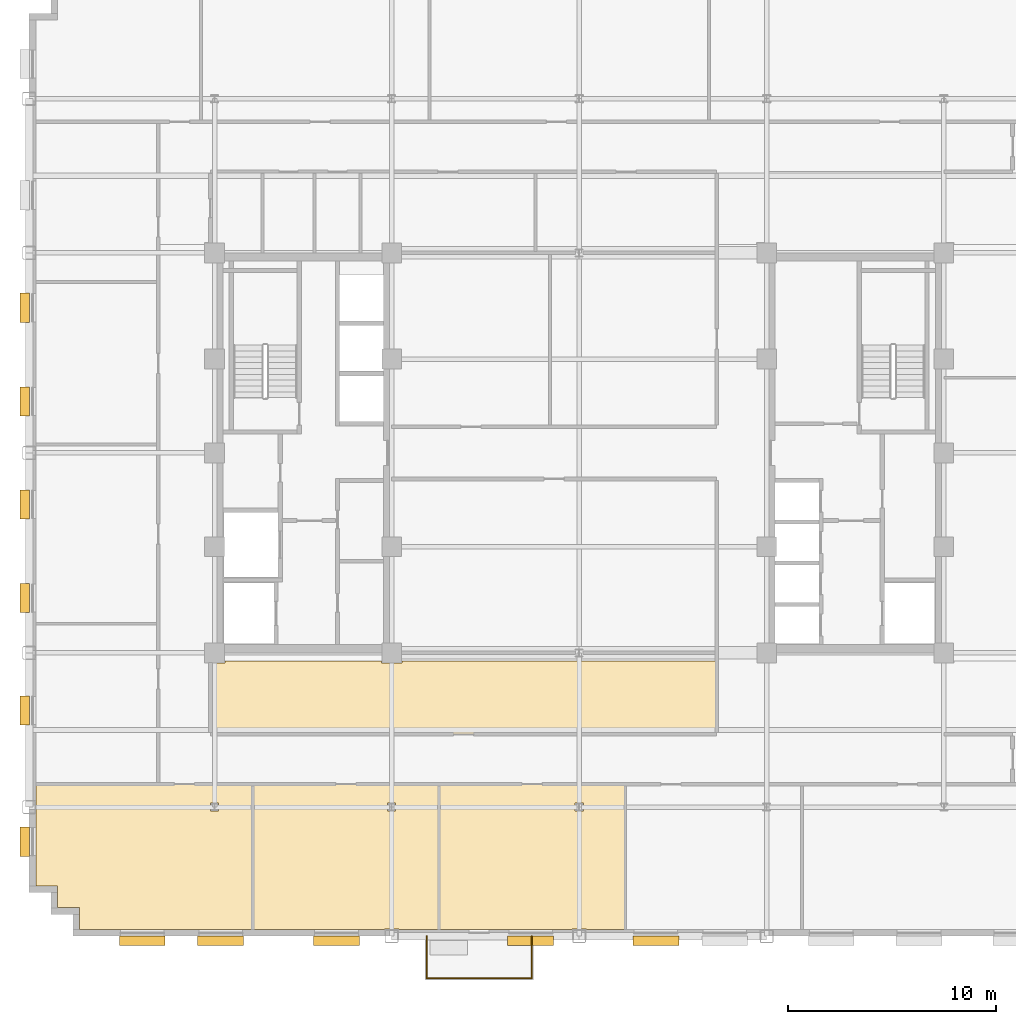
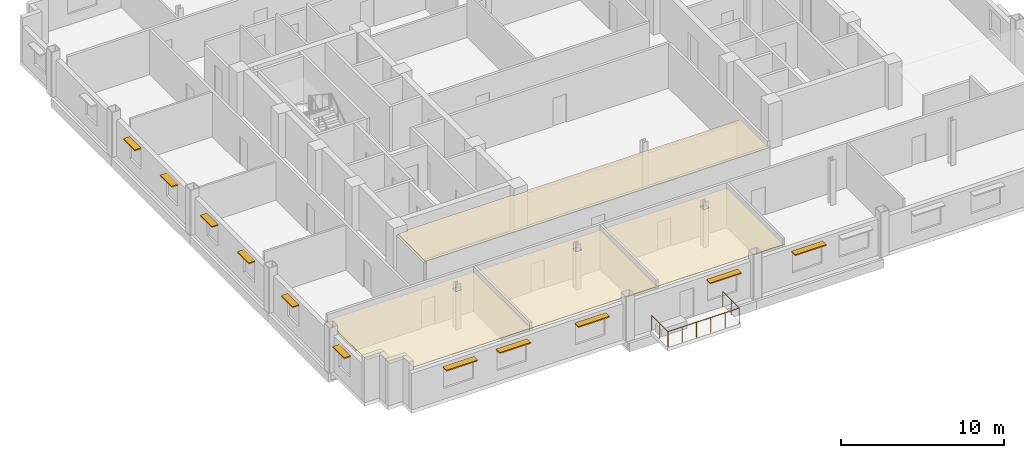
# One storey, part 11 of 14: 11 shading devices, 4 coverings, 1 railing.
"""IFC4 building model written with IfcOpenShell, lengths in metres."""

from ifc_helpers import new_model, si_unit, direction, frame, origin, origin_2d, place, context, subcontext, project, spatial, polyline, rectangle, circle, outline, extrude, source, transform, mapped, material, layer, layer_set, type_object, type_shapes, element, save


model = new_model("IFC4")

# Units and contexts
model_context = context("Model", 3, precision=1e-05, world=origin(), true_north=direction((0.0, 1.0)))
body_context = subcontext(model_context, "Body", "Model", "MODEL_VIEW")
ifc_project = project(units=[si_unit("LENGTHUNIT", "METRE"), si_unit("AREAUNIT", "SQUARE_METRE"), si_unit("VOLUMEUNIT", "CUBIC_METRE"), si_unit("PLANEANGLEUNIT", "RADIAN"), si_unit("MASSUNIT", "GRAM", prefix="KILO")], contexts=[model_context])

# Site, building, storey
site_placement = place(None, origin())
site = spatial("IfcSite", under=ifc_project, at=site_placement, CompositionType="ELEMENT")
building_placement = place(site_placement, origin())
building = spatial("IfcBuilding", under=site, at=building_placement, Name="Nuvemarco Arch Tower", CompositionType="ELEMENT")
storey_placement = place(building_placement, frame((0.0, 0.0, 160.35009765625)))
storey = spatial("IfcBuildingStorey", under=building, at=storey_placement, Name="L42", CompositionType="ELEMENT", Elevation=160.35009765625)

# Coverings
ifc_material_1 = material(Name="Mineral acoustic ceiling tile")
ifc_layer = layer(ifc_material_1, 0.0400390625, Name="COV-ACOUSTIC-CLG")
ifc_layer_set = layer_set([ifc_layer], Name="Mineral acoustic ceiling tile")
covering_type = type_object("IfcCoveringType", Name="COV-ACOUSTIC-CLG", PredefinedType="CEILING", material=ifc_layer_set)
covering_1_placement = place(storey_placement, frame((0.0, 0.0, 2.849853515625)))
element("IfcCovering", 1, at=covering_1_placement, inside=storey, type_object=covering_type, Name="L42 suspended acoustic ceiling 4", PredefinedType="CEILING", context=body_context, shape_type="SweptSolid", body=[
    extrude(outline(polyline([(-9.489990234375, -10.090087890625), (-8.510009765625, -10.090087890625), (-8.510009765625, -10.0), (6.60009765625, -10.0), (6.60009765625, -13.5), (-17.699951171875, -13.5), (-17.699951171875, -10.090087890625), (-17.010009765625, -10.090087890625), (-17.010009765625, -10.0), (-9.489990234375, -10.0), (-9.489990234375, -10.090087890625)])), origin(), (0.0, 0.0, 1.0), 0.0400390625),
])
covering_2_placement = place(storey_placement, frame((0.0, 0.0, 2.849853515625)))
element("IfcCovering", 2, at=covering_2_placement, inside=storey, type_object=covering_type, Name="L42 suspended acoustic ceiling 7", PredefinedType="CEILING", context=body_context, shape_type="SweptSolid", body=[
    extrude(outline(polyline([(-26.080078125, -20.780029296875), (-26.080078125, -17.340087890625), (-26.06005859375, -17.340087890625), (-26.06005859375, -16.659912109375), (-26.080078125, -16.659912109375), (-26.080078125, -15.89990234375), (-20.199951171875, -15.89990234375), (-17.699951171875, -15.89990234375), (-15.669921875, -15.89990234375), (-15.669921875, -22.8798828125), (-23.97998046875, -22.8798828125), (-23.97998046875, -21.830078125), (-25.030029296875, -21.830078125), (-25.030029296875, -20.780029296875), (-26.080078125, -20.780029296875)]), holes=[polyline([(-17.304931640625, -16.804931640625), (-17.695068359375, -16.804931640625), (-17.695068359375, -17.195068359375), (-17.304931640625, -17.195068359375), (-17.304931640625, -16.804931640625)])]), origin(), (0.0, 0.0, 1.0), 0.0400390625),
])
covering_3_placement = place(storey_placement, frame((0.0, 0.0, 2.849853515625)))
element("IfcCovering", 3, at=covering_3_placement, inside=storey, type_object=covering_type, Name="L42 suspended acoustic ceiling 8", PredefinedType="CEILING", context=body_context, shape_type="SweptSolid", body=[
    extrude(outline(polyline([(-8.659912109375, -22.8798828125), (-8.659912109375, -22.860107421875), (-9.340087890625, -22.860107421875), (-9.340087890625, -22.8798828125), (-15.669921875, -22.8798828125), (-15.669921875, -15.89990234375), (-6.72998046875, -15.89990234375), (-6.72998046875, -22.8798828125), (-8.659912109375, -22.8798828125)]), holes=[polyline([(-8.804931640625, -17.195068359375), (-8.804931640625, -16.804931640625), (-9.195068359375, -16.804931640625), (-9.195068359375, -17.195068359375), (-8.804931640625, -17.195068359375)])]), origin(), (0.0, 0.0, 1.0), 0.0400390625),
])
covering_4_placement = place(storey_placement, frame((0.0, 0.0, 2.849853515625)))
element("IfcCovering", 4, at=covering_4_placement, inside=storey, type_object=covering_type, Name="L42 suspended acoustic ceiling 9", PredefinedType="CEILING", context=body_context, shape_type="SweptSolid", body=[
    extrude(outline(polyline([(0.340087890625, -22.8798828125), (0.340087890625, -22.860107421875), (-0.340087890625, -22.860107421875), (-0.340087890625, -22.8798828125), (-6.72998046875, -22.8798828125), (-6.72998046875, -15.89990234375), (2.2099609375, -15.89990234375), (2.2099609375, -22.8798828125), (0.340087890625, -22.8798828125)]), holes=[polyline([(0.195068359375, -17.195068359375), (0.195068359375, -16.804931640625), (-0.195068359375, -16.804931640625), (-0.195068359375, -17.195068359375), (0.195068359375, -17.195068359375)])]), origin(), (0.0, 0.0, 1.0), 0.0400390625),
])

# Railing
ifc_material_2 = material(Name="Dark anodised balustrade steel S355", Category="steel")
railing_type = type_object("IfcRailingType", Name="RL-TERR-GUARD", PredefinedType="BALUSTRADE", material=ifc_material_2)
railing_placement = place(storey_placement, frame((-7.320068359375, -23.199951171875, 0.0)))
element("IfcRailing", 5, at=railing_placement, inside=storey, type_object=railing_type, Name="L42 tree balcony perimeter balustrade guard", PredefinedType="BALUSTRADE", context=body_context, shape_type="SweptSolid", body=[
    extrude(circle(Radius=0.02392578125, at=origin_2d()), frame((0.0, 0.0, 1.1259765625), z_axis=(0.0, -1.0, 0.0), x_axis=(1.0, 0.0, 0.0)), (0.0, 0.0, 1.0), 2.02001953125),
    extrude(circle(Radius=0.02392578125, at=origin_2d()), frame((0.0, -2.02001953125, 1.1259765625), z_axis=(1.0, 0.0, 0.0), x_axis=(0.0, 1.0, 0.0)), (0.0, 0.0, 1.0), 5.0400390625),
    extrude(circle(Radius=0.02392578125, at=origin_2d()), frame((5.0400390625, -2.02001953125, 1.1259765625), z_axis=(0.0, 1.0, 0.0), x_axis=(-1.0, 0.0, 0.0)), (0.0, 0.0, 1.0), 2.02001953125),
    extrude(circle(Radius=0.02099609375, at=origin_2d()), origin(), (0.0, 0.0, 1.0), 1.101806640625),
    extrude(circle(Radius=0.02099609375, at=origin_2d()), frame((0.0, -1.010009765625, 0.0)), (0.0, 0.0, 1.0), 1.101806640625),
    extrude(circle(Radius=0.02099609375, at=origin_2d()), frame((0.0, -2.02001953125, 0.0)), (0.0, 0.0, 1.0), 1.101806640625),
    extrude(circle(Radius=0.02099609375, at=origin_2d()), frame((1.008056640625, -2.02001953125, 0.0)), (0.0, 0.0, 1.0), 1.101806640625),
    extrude(circle(Radius=0.02099609375, at=origin_2d()), frame((2.01611328125, -2.02001953125, 0.0)), (0.0, 0.0, 1.0), 1.101806640625),
    extrude(circle(Radius=0.02099609375, at=origin_2d()), frame((3.02392578125, -2.02001953125, 0.0)), (0.0, 0.0, 1.0), 1.101806640625),
    extrude(circle(Radius=0.02099609375, at=origin_2d()), frame((4.031982421875, -2.02001953125, 0.0)), (0.0, 0.0, 1.0), 1.101806640625),
    extrude(circle(Radius=0.02099609375, at=origin_2d()), frame((5.0400390625, -2.02001953125, 0.0)), (0.0, 0.0, 1.0), 1.101806640625),
    extrude(circle(Radius=0.02099609375, at=origin_2d()), frame((5.0400390625, -1.010009765625, 0.0)), (0.0, 0.0, 1.0), 1.101806640625),
    extrude(circle(Radius=0.02099609375, at=origin_2d()), frame((5.0400390625, 0.0, 0.0)), (0.0, 0.0, 1.0), 1.101806640625),
])

# Shading devices
ifc_material_3 = material(Name="Anodised aluminium 6063-T6", Category="aluminium")
shading_device_type_1 = type_object("IfcShadingDeviceType", Name="SHD-BRISE-SOLEIL", PredefinedType="USERDEFINED", material=ifc_material_3)
shared_shape_1 = source(origin(), body_context, "Body", "SweptSolid", [
    extrude(rectangle(XDim=2.199951171875, YDim=0.449951171875, at=origin_2d()), origin(), (0.0, 0.0, 1.0), 0.080078125),
])
type_shapes(shading_device_type_1, [shared_shape_1])
for number, where, z_axis, x_axis, name in (
    (6, (-20.969970703125, -23.4150390625, 2.36474609375), (0.0, 0.0, 1.0), (1.0, 0.0, 0.0), "L42 horizontal brise-soleil sunshade"),
    (7, (-17.2099609375, -23.4150390625, 2.36474609375), (0.0, 0.0, 1.0), (1.0, 0.0, 0.0), "L42 horizontal brise-soleil sunshade"),
    (8, (-11.64990234375, -23.4150390625, 2.36474609375), (0.0, 0.0, 1.0), (1.0, 0.0, 0.0), "L42 horizontal brise-soleil sunshade"),
    (9, (-2.330078125, -23.4150390625, 2.36474609375), (0.0, 0.0, 1.0), (1.0, 0.0, 0.0), "L42 horizontal brise-soleil sunshade"),
    (10, (3.679931640625, -23.4150390625, 2.36474609375), (0.0, 0.0, 1.0), (1.0, 0.0, 0.0), "L42 horizontal brise-soleil sunshade"),
):
    element("IfcShadingDevice", number, at=place(storey_placement, frame(where, z_axis=z_axis, x_axis=x_axis)), inside=storey, type_object=shading_device_type_1, Name=name, ObjectType="SUNSHADE", PredefinedType="USERDEFINED", context=body_context, shape_type="MappedRepresentation", body=[
        mapped(shared_shape_1, transform((0.0, 0.0, 0.0), scale=1.0)),
    ])
shading_device_type_2 = type_object("IfcShadingDeviceType", Name="SHD-BRISE-NARROW", PredefinedType="USERDEFINED", material=ifc_material_3)
shared_shape_2 = source(origin(), body_context, "Body", "SweptSolid", [
    extrude(rectangle(XDim=1.39990234375, YDim=0.449951171875, at=origin_2d()), origin(), (0.0, 0.0, 1.0), 0.080078125),
])
type_shapes(shading_device_type_2, [shared_shape_2])
for number, where, z_axis, x_axis, name in (
    (11, (-26.614990234375, -18.660888671875, 2.36474609375), (0.0, 0.0, 1.0), (0.0, 1.0, 0.0), "L42 horizontal brise-soleil sunshade"),
    (12, (-26.614990234375, -12.364990234375, 2.36474609375), (0.0, 0.0, 1.0), (0.0, 1.0, 0.0), "L42 horizontal brise-soleil sunshade"),
    (13, (-26.614990234375, -6.968994140625, 2.36474609375), (0.0, 0.0, 1.0), (0.0, 1.0, 0.0), "L42 horizontal brise-soleil sunshade"),
    (14, (-26.614990234375, -2.472900390625, 2.36474609375), (0.0, 0.0, 1.0), (0.0, 1.0, 0.0), "L42 horizontal brise-soleil sunshade"),
    (15, (-26.614990234375, 2.472900390625, 2.36474609375), (0.0, 0.0, 1.0), (0.0, 1.0, 0.0), "L42 horizontal brise-soleil sunshade"),
    (16, (-26.614990234375, 6.968994140625, 2.36474609375), (0.0, 0.0, 1.0), (0.0, 1.0, 0.0), "L42 horizontal brise-soleil sunshade"),
):
    element("IfcShadingDevice", number, at=place(storey_placement, frame(where, z_axis=z_axis, x_axis=x_axis)), inside=storey, type_object=shading_device_type_2, Name=name, ObjectType="SUNSHADE", PredefinedType="USERDEFINED", context=body_context, shape_type="MappedRepresentation", body=[
        mapped(shared_shape_2, transform((0.0, 0.0, 0.0), scale=1.0)),
    ])

save(model, "model.ifc")
